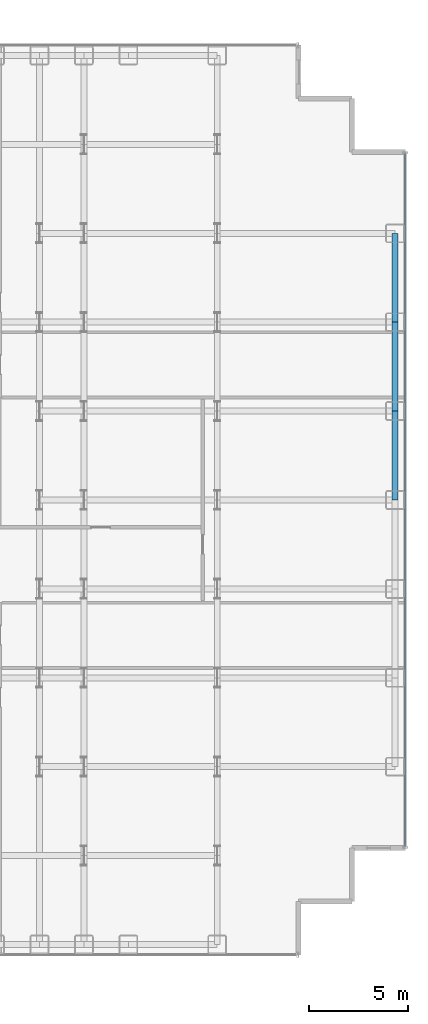
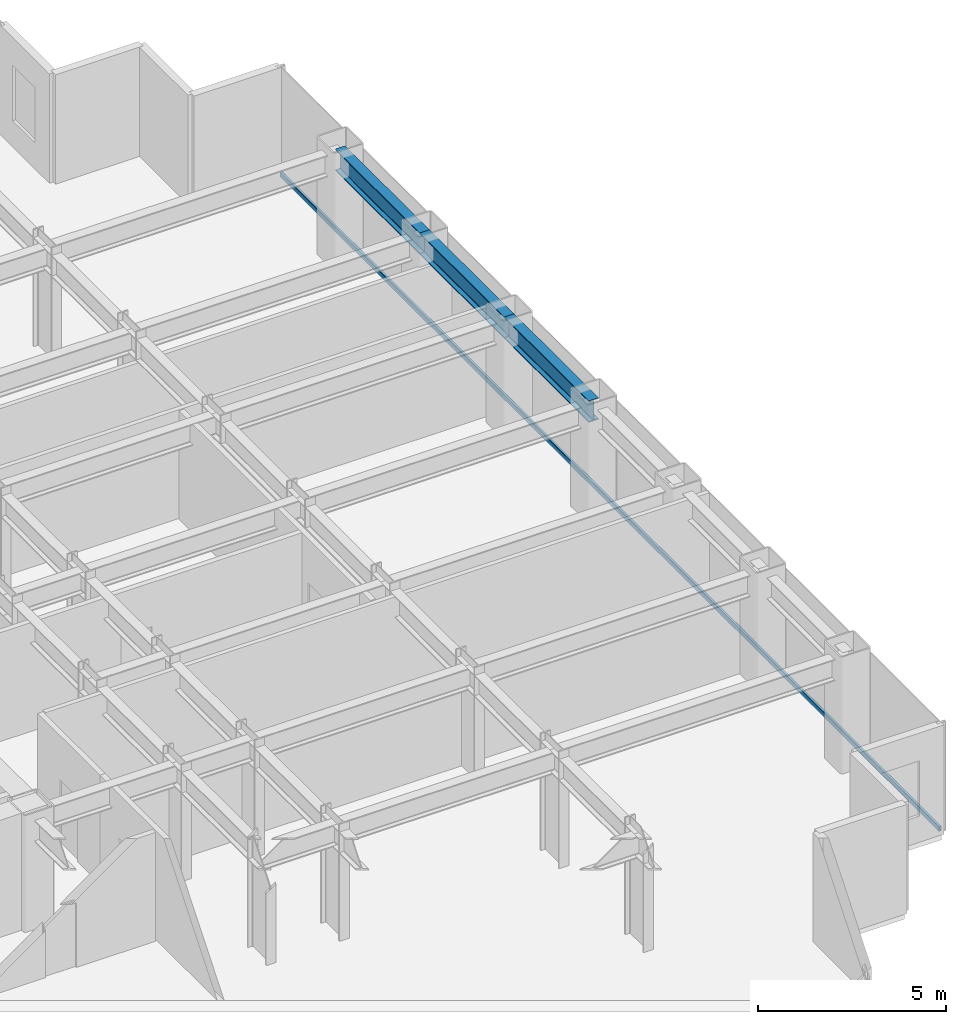
# One storey, part 17 of 26: 3 beams, 1 member, 1 element without a shape of its own.
"""IFC4 building model written with IfcOpenShell, lengths in metres."""

from ifc_helpers import new_model, si_unit, direction, frame, origin, origin_2d, place, context, subcontext, project, spatial, hollow_rectangle, i_section, extrude, source, transform, mapped, material, layer, layer_set, material_profile, profile_set, type_object, element, aggregate, save


model = new_model("IFC4")

# Units and contexts
model_context = context("Model", 3, precision=1e-05, world=origin(), true_north=direction((0.0, 1.0)))
body_context = subcontext(model_context, "Body", "Model", "MODEL_VIEW")
ifc_project = project(units=[si_unit("LENGTHUNIT", "METRE"), si_unit("AREAUNIT", "SQUARE_METRE"), si_unit("VOLUMEUNIT", "CUBIC_METRE"), si_unit("PLANEANGLEUNIT", "RADIAN"), si_unit("MASSUNIT", "GRAM", prefix="KILO")], contexts=[model_context])

# Site, building, storey
site_placement = place(None, origin())
site = spatial("IfcSite", under=ifc_project, at=site_placement, CompositionType="ELEMENT")
building_placement = place(site_placement, origin())
building = spatial("IfcBuilding", under=site, at=building_placement, Name="Nefas-Gora Pilgrimage Tower", CompositionType="ELEMENT")
storey_placement = place(building_placement, frame((0.0, 0.0, 63.39990234375)))
storey = spatial("IfcBuildingStorey", under=building, at=storey_placement, Name="L14", CompositionType="ELEMENT", Elevation=63.39990234375)

# Beams
ifc_material_1 = material(Name="Steel S355", Category="steel")
ifc_material_profile_1 = material_profile(ifc_material_1, i_section(OverallWidth=0.300048828125, OverallDepth=0.699951171875, WebThickness=0.01708984375, FlangeThickness=0.031982421875, FilletRadius=0.027099609375, at=origin_2d()), Name="HEB 700")
ifc_profile_set_1 = profile_set([ifc_material_profile_1], Name="Steel S355")
beam_type = type_object("IfcBeamType", Name="BM-SPN-HEB600", PredefinedType="SPANDREL", material=ifc_profile_set_1)
shared_shape_1 = source(origin(), body_context, "Body", "SweptSolid", [
    extrude(i_section(OverallWidth=0.300048828125, OverallDepth=0.699951171875, WebThickness=0.01708984375, FlangeThickness=0.031982421875, FilletRadius=0.027099609375, at=origin_2d()), origin(), (0.0, 0.0, 1.0), 4.5),
])
for number, where, z_axis, x_axis, name in (
    (1, (33.75, 0.0, 3.2001953125), (0.0, 1.0, 0.0), (-1.0, 0.0, 0.0), "L14 SP-01 beam"),
    (2, (33.75, 4.5, 3.2001953125), (0.0, 1.0, 0.0), (-1.0, 0.0, 0.0), "L14 SP-01 beam"),
    (3, (33.75, 9.0, 3.2001953125), (0.0, 1.0, 0.0), (-1.0, 0.0, 0.0), "L14 SP-01 beam"),
):
    element("IfcBeam", number, at=place(storey_placement, frame(where, z_axis=z_axis, x_axis=x_axis)), inside=storey, type_object=beam_type, Name=name, PredefinedType="SPANDREL", context=body_context, shape_type="MappedRepresentation", body=[
        mapped(shared_shape_1, transform((0.0, 0.0, 0.0), x_axis=(1.0, 0.0, 0.0), y_axis=(0.0, 1.0, 0.0), z_axis=(0.0, 0.0, 1.0), scale=1.0)),
    ])

# Curtain wall, member
ifc_material_2 = material(Name="Dark ceramic-fritted solar-control aluminium-glass curtain wall", Category="aluminium")
ifc_layer = layer(ifc_material_2, 0.219970703125)
ifc_layer_set = layer_set([ifc_layer], Name="Dark ceramic-fritted solar-control aluminium-glass curtain wall")
curtain_wall_type = type_object("IfcCurtainWallType", Name="CW-SYS-2", PredefinedType="NOTDEFINED", material=ifc_layer_set)
curtain_wall_placement = place(storey_placement, origin())
curtain_wall = element("IfcCurtainWall", 4, at=curtain_wall_placement, inside=storey, type_object=curtain_wall_type, Name="L14 Unitised Curtain Wall CW2", PredefinedType="NOTDEFINED")
ifc_material_3 = material(Name="Anodised architectural aluminium", Category="aluminium")
ifc_material_profile_2 = material_profile(ifc_material_3, hollow_rectangle(XDim=0.080078125, YDim=0.159912109375, WallThickness=0.00439453125, InnerFilletRadius=0.00439453125, OuterFilletRadius=0.009033203125, at=origin_2d()), Name="ALU TRANSOM 80x160")
ifc_profile_set_2 = profile_set([ifc_material_profile_2], Name="Anodised architectural aluminium")
member_type = type_object("IfcMemberType", Name="CWM-TRN-2", PredefinedType="USERDEFINED", material=ifc_profile_set_2)
shared_shape_2 = source(origin(), body_context, "Body", "SweptSolid", [
    extrude(hollow_rectangle(XDim=0.080078125, YDim=0.159912109375, WallThickness=0.00439453125, InnerFilletRadius=0.00439453125, OuterFilletRadius=0.009033203125, at=origin_2d()), origin(), (0.0, 0.0, 1.0), 35.06005859375),
])
member_placement = place(storey_placement, frame((34.27001953125, -17.530029296875, 0.050048828125), z_axis=(0.0, 1.0, 0.0), x_axis=(-1.0, 0.0, 0.0)))
member = element("IfcMember", 5, at=member_placement, type_object=member_type, Name="CW2 Spandrel Transom", ObjectType="TRANSOM", PredefinedType="USERDEFINED", context=body_context, shape_type="MappedRepresentation", body=[
    mapped(shared_shape_2, transform((0.0, 0.0, 0.0), x_axis=(1.0, 0.0, 0.0), y_axis=(0.0, 1.0, 0.0), z_axis=(0.0, 0.0, 1.0), scale=1.0)),
])
aggregate(curtain_wall, [member])

save(model, "model.ifc")
